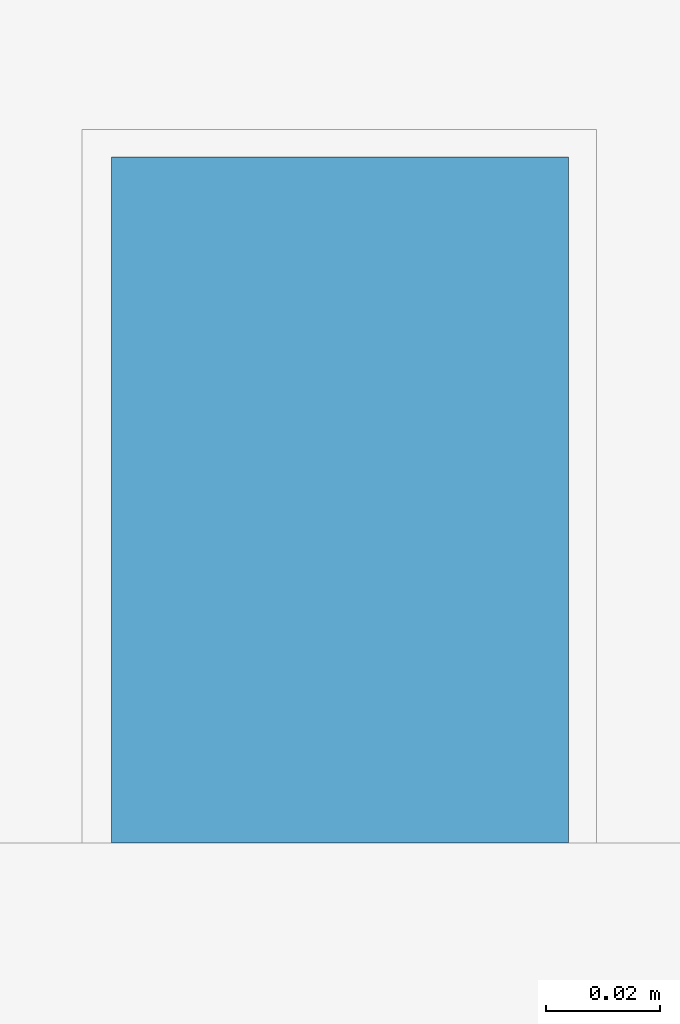
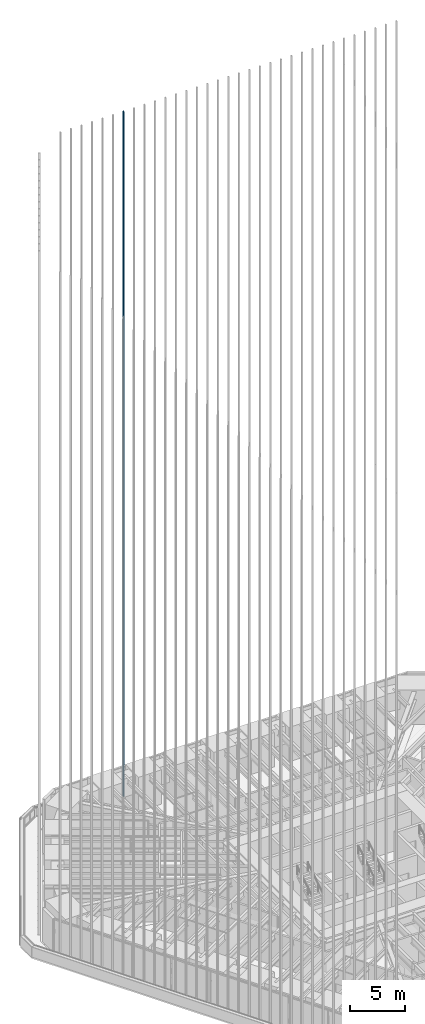
# One storey, part 158 of 238: 1 member, 1 element without a shape of its own.
"""IFC4 building model written with IfcOpenShell, lengths in metres."""

from ifc_helpers import new_model, si_unit, direction, frame, origin, origin_2d, place, context, subcontext, project, spatial, rectangle, extrude, material, material_profile, profile_set, type_object, element, aggregate, save


model = new_model("IFC4")

# Units and contexts
model_context = context("Model", 3, precision=1e-05, world=origin(), true_north=direction((0.0, 1.0)))
body_context = subcontext(model_context, "Body", "Model", "MODEL_VIEW")
ifc_project = project(units=[si_unit("LENGTHUNIT", "METRE"), si_unit("AREAUNIT", "SQUARE_METRE"), si_unit("VOLUMEUNIT", "CUBIC_METRE"), si_unit("PLANEANGLEUNIT", "RADIAN"), si_unit("MASSUNIT", "GRAM", prefix="KILO")], contexts=[model_context])

# Site, building, storey
site_placement = place(None, origin())
site = spatial("IfcSite", under=ifc_project, at=site_placement, CompositionType="ELEMENT")
building_placement = place(site_placement, origin())
building = spatial("IfcBuilding", under=site, at=building_placement, Name="Sandreach Pilgrim Tower", CompositionType="ELEMENT")
storey_placement = place(building_placement, frame((0.0, 0.0, 96.800048828125)))
storey = spatial("IfcBuildingStorey", under=building, at=storey_placement, Name="L23", CompositionType="ELEMENT", Elevation=96.800048828125)

# Curtain wall, member
ifc_material_1 = material(Name="Aluminium framed curtain wall", Category="aluminium")
curtain_wall_type = type_object("IfcCurtainWallType", Name="Hotel tower curtain wall", PredefinedType="NOTDEFINED", material=ifc_material_1)
curtain_wall_placement = place(storey_placement, origin())
curtain_wall = element("IfcCurtainWall", 1, at=curtain_wall_placement, inside=storey, type_object=curtain_wall_type, Name="CW-2 L23 N", PredefinedType="NOTDEFINED")
ifc_material_2 = material(Name="Extruded terracotta on aluminium core", Category="masonry")
ifc_material_profile = material_profile(ifc_material_2, rectangle(XDim=0.080078125, YDim=0.1201171875, at=origin_2d()), Name="TBN 80X120")
ifc_profile_set = profile_set([ifc_material_profile], Name="Extruded terracotta on aluminium core")
member_type = type_object("IfcMemberType", Name="Terracotta baguette north", PredefinedType="USERDEFINED", material=ifc_profile_set)
member_placement = place(storey_placement, frame((-10.99365234375, 22.853759765625, 0.0), z_axis=(0.0, 0.0, 1.0), x_axis=(1.0, 0.0, 0.0)))
member = element("IfcMember", 2, at=member_placement, type_object=member_type, Name="Baguette Z2 N07", ObjectType="BAGUETTE", PredefinedType="USERDEFINED", context=body_context, shape_type="SweptSolid", body=[
    extrude(rectangle(XDim=0.080078125, YDim=0.1201171875, at=origin_2d()), origin(), (0.0, 0.0, 1.0), 75.83984375),
])
aggregate(curtain_wall, [member])

save(model, "model.ifc")
